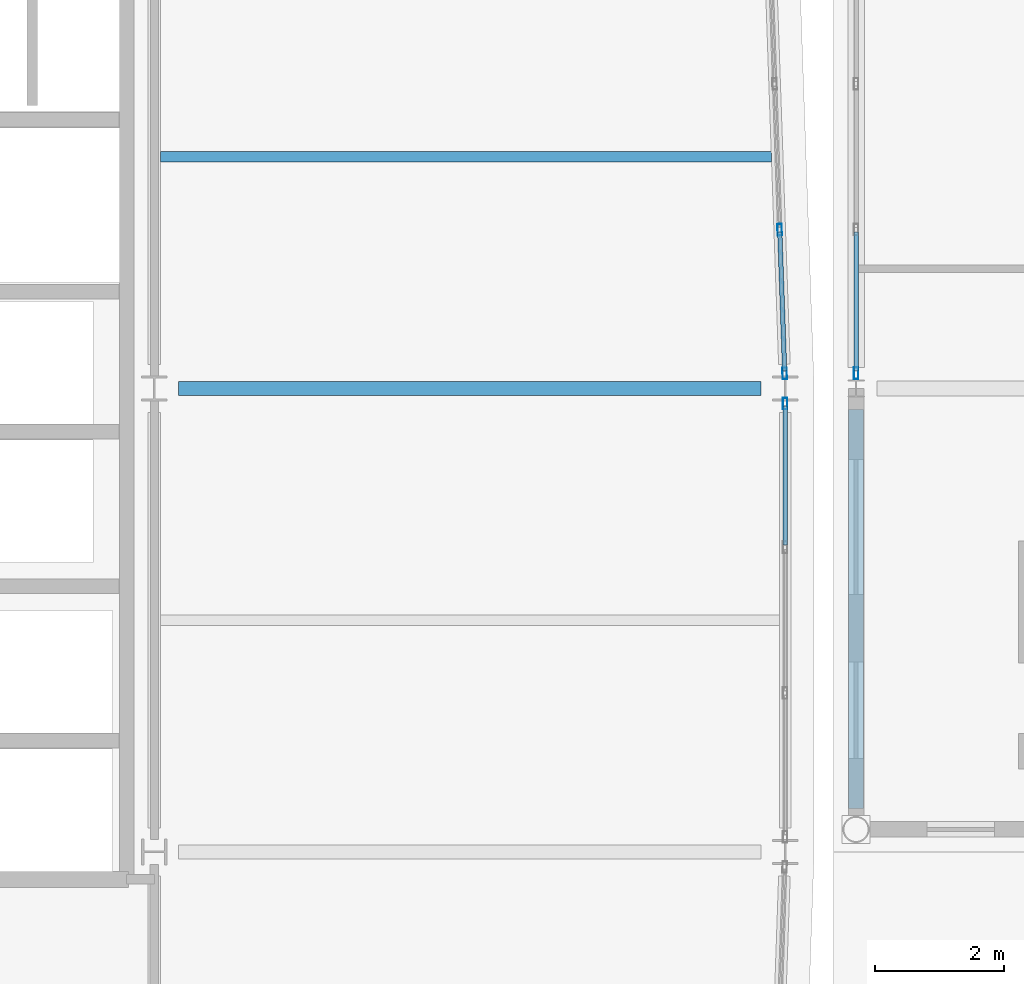
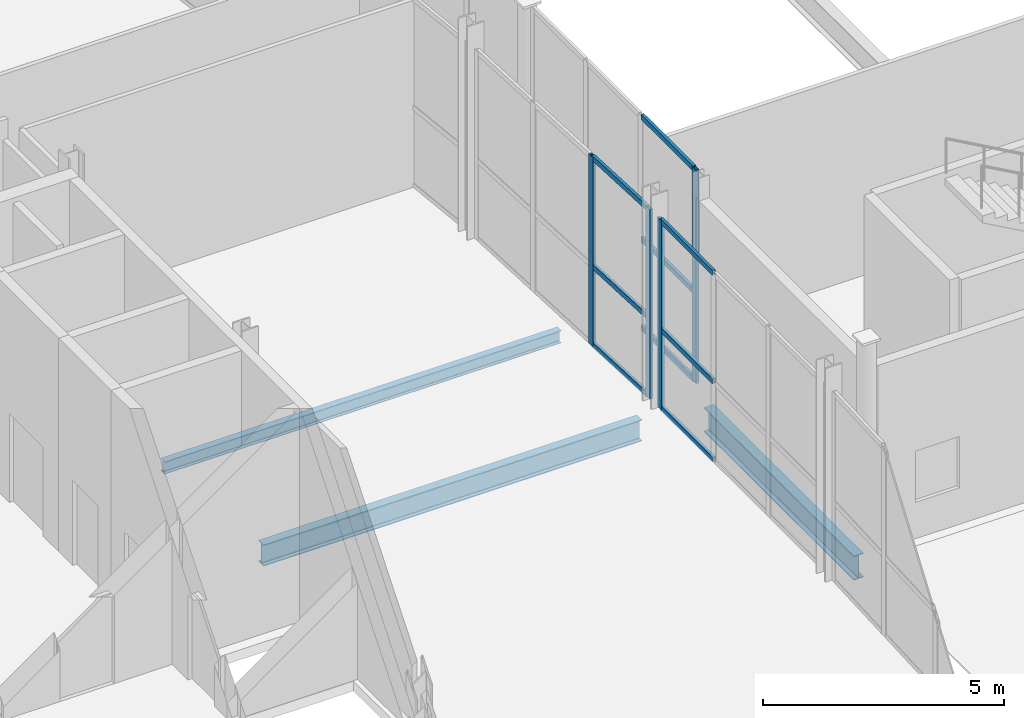
# One storey, part 29 of 83: 13 members, 3 beams, 3 elements without a shape of their own.
"""IFC4 building model written with IfcOpenShell, lengths in metres."""

from ifc_helpers import new_model, si_unit, direction, frame, origin, origin_2d, place, context, subcontext, project, spatial, hollow_rectangle, i_section, extrude, material, layer, layer_set, material_profile, profile_set, type_object, element, aggregate, save


model = new_model("IFC4")

# Units and contexts
model_context = context("Model", 3, precision=1e-05, world=origin(), true_north=direction((0.0, 1.0)))
body_context = subcontext(model_context, "Body", "Model", "MODEL_VIEW")
ifc_project = project(units=[si_unit("LENGTHUNIT", "METRE"), si_unit("AREAUNIT", "SQUARE_METRE"), si_unit("VOLUMEUNIT", "CUBIC_METRE"), si_unit("PLANEANGLEUNIT", "RADIAN"), si_unit("MASSUNIT", "GRAM", prefix="KILO")], contexts=[model_context])

# Site, building, storey
site_placement = place(None, origin())
site = spatial("IfcSite", under=ifc_project, at=site_placement, CompositionType="ELEMENT")
building_placement = place(site_placement, origin())
building = spatial("IfcBuilding", under=site, at=building_placement, Name="Quillay Park Conservatory", CompositionType="ELEMENT")
storey_placement = place(building_placement, origin())
storey = spatial("IfcBuildingStorey", under=building, at=storey_placement, Name="L00", CompositionType="ELEMENT", Elevation=0.0)

# Beam
ifc_material_1 = material(Name="Steel ASTM A992 Grade 50", Category="steel")
ifc_material_profile_1 = material_profile(ifc_material_1, i_section(OverallWidth=0.166015625, OverallDepth=0.31298828125, WebThickness=0.006591796875, FlangeThickness=0.01123046875, FilletRadius=0.010009765625, at=origin_2d()), Name="W310x45")
ifc_profile_set_1 = profile_set([ifc_material_profile_1], Name="Steel ASTM A992 Grade 50")
beam_type_1 = type_object("IfcBeamType", Name="COMPOSITE FLOOR JOIST W310 X45", PredefinedType="JOIST", material=ifc_profile_set_1)
beam_1_placement = place(storey_placement, frame((19.845947265625, 96.0, -0.406494140625), z_axis=(1.0, 0.0, 0.0), x_axis=(0.0, 1.0, 0.0)))
element("IfcBeam", 1, at=beam_1_placement, inside=storey, type_object=beam_type_1, Name="L00 beam BM-J-0093", PredefinedType="JOIST", context=body_context, shape_type="SweptSolid", body=[
    extrude(i_section(OverallWidth=0.166015625, OverallDepth=0.31298828125, WebThickness=0.006591796875, FlangeThickness=0.01123046875, FilletRadius=0.010009765625, at=origin_2d()), origin(), (0.0, 0.0, 1.0), 9.489013671875),
])

# Curtain wall, member
ifc_material_2 = material(Name="Thermally Broken Anodised Aluminium 6063-T6", Category="aluminium")
ifc_layer_1 = layer(ifc_material_2, 0.179931640625)
ifc_layer_set_1 = layer_set([ifc_layer_1], Name="UNITISED CURTAIN WALL TOWER (Thermally Broken Anodised Aluminium 6063-T6)")
curtain_wall_type_1 = type_object("IfcCurtainWallType", Name="UNITISED CURTAIN WALL TOWER", PredefinedType="USERDEFINED", material=ifc_layer_set_1)
curtain_wall_1_placement = place(storey_placement, origin())
curtain_wall_1 = element("IfcCurtainWall", 2, at=curtain_wall_1_placement, inside=storey, type_object=curtain_wall_type_1, Name="L00 Unitised Curtain Wall 004", ObjectType="UNITISED CURTAIN WALL", PredefinedType="USERDEFINED")
ifc_material_3 = material(Name="Thermally Broken Anodised Aluminium 6063-T6", Category="aluminium")
ifc_material_profile_2 = material_profile(ifc_material_3, hollow_rectangle(XDim=0.070068359375, YDim=0.179931640625, WallThickness=0.00390625, at=origin_2d()), Name="AL70x180x4")
ifc_profile_set_2 = profile_set([ifc_material_profile_2], Name="Thermally Broken Anodised Aluminium 6063-T6")
member_type_1 = type_object("IfcMemberType", Name="CURTAIN WALL MULLION 70 X180", PredefinedType="MULLION", material=ifc_profile_set_2)
member_1_placement = place(storey_placement, frame((29.550048828125, 92.1650390625, 0.0), z_axis=(0.0, 0.0, 1.0), x_axis=(1.0, 0.0, 0.0)))
member_1 = element("IfcMember", 3, at=member_1_placement, type_object=member_type_1, Name="CW-T1 mullion 1", PredefinedType="MULLION", context=body_context, shape_type="SweptSolid", body=[
    extrude(hollow_rectangle(XDim=0.070068359375, YDim=0.179931640625, WallThickness=0.00390625, at=origin_2d()), origin(), (0.0, 0.0, 1.0), 4.7890625),
])

# Curtain wall, members
curtain_wall_2_placement = place(storey_placement, origin())
curtain_wall_2 = element("IfcCurtainWall", 4, at=curtain_wall_2_placement, inside=storey, type_object=curtain_wall_type_1, Name="L00 Unitised Curtain Wall 005", ObjectType="UNITISED CURTAIN WALL", PredefinedType="USERDEFINED")
member_2_placement = place(storey_placement, frame((29.46435546875, 94.86669921875, 0.0), z_axis=(0.0, 0.0, 1.0), x_axis=(0.999397310446, 0.034713338537, 0.0)))
member_2 = element("IfcMember", 5, at=member_2_placement, type_object=member_type_1, Name="CW-T1 mullion 3", PredefinedType="MULLION", context=body_context, shape_type="SweptSolid", body=[
    extrude(hollow_rectangle(XDim=0.070068359375, YDim=0.179931640625, WallThickness=0.00390625, at=origin_2d()), origin(), (0.0, 0.0, 1.0), 4.7890625),
])
member_3_placement = place(storey_placement, frame((29.5419921875, 92.634765625, 0.0), z_axis=(0.0, 0.0, 1.0), x_axis=(0.999397310446, 0.034713338537, 0.0)))
member_3 = element("IfcMember", 6, at=member_3_placement, type_object=member_type_1, Name="CW-T1 mullion 4", PredefinedType="MULLION", context=body_context, shape_type="SweptSolid", body=[
    extrude(hollow_rectangle(XDim=0.070068359375, YDim=0.179931640625, WallThickness=0.00390625, at=origin_2d()), origin(), (0.0, 0.0, 1.0), 4.7890625),
])

# Curtain wall, member
ifc_material_4 = material(Name="Thermally Broken Anodised Aluminium 6063-T6", Category="aluminium")
ifc_layer_2 = layer(ifc_material_4, 0.219970703125)
ifc_layer_set_2 = layer_set([ifc_layer_2], Name="UNITISED CURTAIN WALL CONSERVATORY (Thermally Broken Anodised Aluminium 6063-T6)")
curtain_wall_type_2 = type_object("IfcCurtainWallType", Name="UNITISED CURTAIN WALL CONSERVATORY", PredefinedType="USERDEFINED", material=ifc_layer_set_2)
curtain_wall_3_placement = place(storey_placement, origin())
curtain_wall_3 = element("IfcCurtainWall", 7, at=curtain_wall_3_placement, inside=storey, type_object=curtain_wall_type_2, Name="L00 Unitised Curtain Wall 163", ObjectType="UNITISED CURTAIN WALL", PredefinedType="USERDEFINED")
member_4_placement = place(storey_placement, frame((30.64990234375, 92.636962890625, 0.0), z_axis=(0.0, 0.0, 1.0), x_axis=(-1.0, 0.0, 0.0)))
member_4 = element("IfcMember", 8, at=member_4_placement, type_object=member_type_1, Name="CW-C1 mullion 1", PredefinedType="MULLION", context=body_context, shape_type="SweptSolid", body=[
    extrude(hollow_rectangle(XDim=0.070068359375, YDim=0.179931640625, WallThickness=0.00390625, at=origin_2d()), origin(), (0.0, 0.0, 1.0), 5.39990234375),
])

# Member
ifc_material_5 = material(Name="Thermally Broken Anodised Aluminium 6063-T6", Category="aluminium")
ifc_material_profile_3 = material_profile(ifc_material_5, hollow_rectangle(XDim=0.070068359375, YDim=0.1298828125, WallThickness=0.003173828125, at=origin_2d()), Name="AL70x130x3.2")
ifc_profile_set_3 = profile_set([ifc_material_profile_3], Name="Thermally Broken Anodised Aluminium 6063-T6")
member_type_2 = type_object("IfcMemberType", Name="CURTAIN WALL TRANSOM 70 X130", PredefinedType="USERDEFINED", material=ifc_profile_set_3)
member_5_placement = place(storey_placement, frame((29.550048828125, 92.1298828125, 0.034912109375), z_axis=(0.0, -1.0, 0.0), x_axis=(1.0, 0.0, 0.0)))
member_5 = element("IfcMember", 9, at=member_5_placement, type_object=member_type_2, Name="CW-T1 transom 1.1", ObjectType="TRANSOM", PredefinedType="USERDEFINED", context=body_context, shape_type="SweptSolid", body=[
    extrude(hollow_rectangle(XDim=0.070068359375, YDim=0.1298828125, WallThickness=0.003173828125, at=origin_2d()), origin(), (0.0, 0.0, 1.0), 2.16162109375),
])

member_6_placement = place(storey_placement, frame((29.550048828125, 92.1298828125, 2.011474609375), z_axis=(0.0, -1.0, 0.0), x_axis=(1.0, 0.0, 0.0)))
member_6 = element("IfcMember", 10, at=member_6_placement, type_object=member_type_2, Name="CW-T1 transom 1.2", ObjectType="TRANSOM", PredefinedType="USERDEFINED", context=body_context, shape_type="SweptSolid", body=[
    extrude(hollow_rectangle(XDim=0.070068359375, YDim=0.1298828125, WallThickness=0.003173828125, at=origin_2d()), origin(), (0.0, 0.0, 1.0), 2.16162109375),
])

member_7_placement = place(storey_placement, frame((29.550048828125, 92.1298828125, 4.75390625), z_axis=(0.0, -1.0, 0.0), x_axis=(1.0, 0.0, 0.0)))
member_7 = element("IfcMember", 11, at=member_7_placement, type_object=member_type_2, Name="CW-T1 transom 1.3", ObjectType="TRANSOM", PredefinedType="USERDEFINED", context=body_context, shape_type="SweptSolid", body=[
    extrude(hollow_rectangle(XDim=0.070068359375, YDim=0.1298828125, WallThickness=0.003173828125, at=origin_2d()), origin(), (0.0, 0.0, 1.0), 2.16162109375),
])

aggregate(curtain_wall_1, [member_1, member_5, member_6, member_7])

member_8_placement = place(storey_placement, frame((29.465576171875, 94.83154296875, 0.034912109375), z_axis=(0.034765508592, -0.999395496994, 0.0), x_axis=(0.999395496994, 0.034765508592, 0.0)))
member_8 = element("IfcMember", 12, at=member_8_placement, type_object=member_type_2, Name="CW-T1 transom 3.1", ObjectType="TRANSOM", PredefinedType="USERDEFINED", context=body_context, shape_type="SweptSolid", body=[
    extrude(hollow_rectangle(XDim=0.070068359375, YDim=0.1298828125, WallThickness=0.003173828125, at=origin_2d()), origin(), (0.0, 0.0, 1.0), 2.162841796875),
])

member_9_placement = place(storey_placement, frame((29.465576171875, 94.83154296875, 2.011474609375), z_axis=(0.034765508592, -0.999395496994, 0.0), x_axis=(0.999395496994, 0.034765508592, 0.0)))
member_9 = element("IfcMember", 13, at=member_9_placement, type_object=member_type_2, Name="CW-T1 transom 3.2", ObjectType="TRANSOM", PredefinedType="USERDEFINED", context=body_context, shape_type="SweptSolid", body=[
    extrude(hollow_rectangle(XDim=0.070068359375, YDim=0.1298828125, WallThickness=0.003173828125, at=origin_2d()), origin(), (0.0, 0.0, 1.0), 2.162841796875),
])

member_10_placement = place(storey_placement, frame((29.465576171875, 94.83154296875, 4.75390625), z_axis=(0.034765508592, -0.999395496994, 0.0), x_axis=(0.999395496994, 0.034765508592, 0.0)))
member_10 = element("IfcMember", 14, at=member_10_placement, type_object=member_type_2, Name="CW-T1 transom 3.3", ObjectType="TRANSOM", PredefinedType="USERDEFINED", context=body_context, shape_type="SweptSolid", body=[
    extrude(hollow_rectangle(XDim=0.070068359375, YDim=0.1298828125, WallThickness=0.003173828125, at=origin_2d()), origin(), (0.0, 0.0, 1.0), 2.162841796875),
])

aggregate(curtain_wall_2, [member_2, member_3, member_8, member_9, member_10])

member_11_placement = place(storey_placement, frame((30.64990234375, 92.672119140625, 0.034912109375), z_axis=(0.0, 1.0, 0.0), x_axis=(-1.0, 0.0, 0.0)))
member_11 = element("IfcMember", 15, at=member_11_placement, type_object=member_type_2, Name="CW-C1 transom 1.1", ObjectType="TRANSOM", PredefinedType="USERDEFINED", context=body_context, shape_type="SweptSolid", body=[
    extrude(hollow_rectangle(XDim=0.070068359375, YDim=0.1298828125, WallThickness=0.003173828125, at=origin_2d()), origin(), (0.0, 0.0, 1.0), 2.16015625),
])

member_12_placement = place(storey_placement, frame((30.64990234375, 92.672119140625, 2.26806640625), z_axis=(0.0, 1.0, 0.0), x_axis=(-1.0, 0.0, 0.0)))
member_12 = element("IfcMember", 16, at=member_12_placement, type_object=member_type_2, Name="CW-C1 transom 1.2", ObjectType="TRANSOM", PredefinedType="USERDEFINED", context=body_context, shape_type="SweptSolid", body=[
    extrude(hollow_rectangle(XDim=0.070068359375, YDim=0.1298828125, WallThickness=0.003173828125, at=origin_2d()), origin(), (0.0, 0.0, 1.0), 2.16015625),
])

member_13_placement = place(storey_placement, frame((30.64990234375, 92.672119140625, 5.364990234375), z_axis=(0.0, 1.0, 0.0), x_axis=(-1.0, 0.0, 0.0)))
member_13 = element("IfcMember", 17, at=member_13_placement, type_object=member_type_2, Name="CW-C1 transom 1.3", ObjectType="TRANSOM", PredefinedType="USERDEFINED", context=body_context, shape_type="SweptSolid", body=[
    extrude(hollow_rectangle(XDim=0.070068359375, YDim=0.1298828125, WallThickness=0.003173828125, at=origin_2d()), origin(), (0.0, 0.0, 1.0), 2.16015625),
])

aggregate(curtain_wall_3, [member_4, member_11, member_12, member_13])

# Beams
ifc_material_6 = material(Name="Steel ASTM A992 Grade 50", Category="steel")
ifc_material_profile_4 = material_profile(ifc_material_6, i_section(OverallWidth=0.2109375, OverallDepth=0.5390625, WebThickness=0.01171875, FlangeThickness=0.018798828125, FilletRadius=0.013916015625, at=origin_2d()), Name="W530x109")
ifc_profile_set_4 = profile_set([ifc_material_profile_4], Name="Steel ASTM A992 Grade 50")
beam_type_2 = type_object("IfcBeamType", Name="PRIMARY FLOOR GIRDER W530 X109", PredefinedType="BEAM", material=ifc_profile_set_4)
beam_2_placement = place(storey_placement, frame((20.125, 92.39990234375, -0.51953125), z_axis=(1.0, 0.0, 0.0), x_axis=(0.0, 1.0, 0.0)))
element("IfcBeam", 18, at=beam_2_placement, inside=storey, type_object=beam_type_2, Name="L00 beam BM-G-0058", PredefinedType="BEAM", context=body_context, shape_type="SweptSolid", body=[
    extrude(i_section(OverallWidth=0.2109375, OverallDepth=0.5390625, WebThickness=0.01171875, FlangeThickness=0.018798828125, FilletRadius=0.013916015625, at=origin_2d()), origin(), (0.0, 0.0, 1.0), 9.050048828125),
])
ifc_material_7 = material(Name="Steel ASTM A992 Grade 50", Category="steel")
ifc_material_profile_5 = material_profile(ifc_material_7, i_section(OverallWidth=0.22998046875, OverallDepth=0.616943359375, WebThickness=0.01318359375, FlangeThickness=0.022216796875, FilletRadius=0.014892578125, at=origin_2d()), Name="W610x140")
ifc_profile_set_5 = profile_set([ifc_material_profile_5], Name="Steel ASTM A992 Grade 50")
beam_type_3 = type_object("IfcBeamType", Name="PRIMARY FLOOR GIRDER W610 X140", PredefinedType="BEAM", material=ifc_profile_set_5)
beam_3_placement = place(storey_placement, frame((30.64990234375, 85.875, -0.58837890625), z_axis=(0.0, 1.0, 0.0), x_axis=(-1.0, 0.0, 0.0)))
element("IfcBeam", 19, at=beam_3_placement, inside=storey, type_object=beam_type_3, Name="L00 beam BM-V1T0-1629", PredefinedType="BEAM", context=body_context, shape_type="SweptSolid", body=[
    extrude(i_section(OverallWidth=0.22998046875, OverallDepth=0.616943359375, WebThickness=0.01318359375, FlangeThickness=0.022216796875, FilletRadius=0.014892578125, at=origin_2d()), origin(), (0.0, 0.0, 1.0), 6.199951171875),
])

save(model, "model.ifc")
